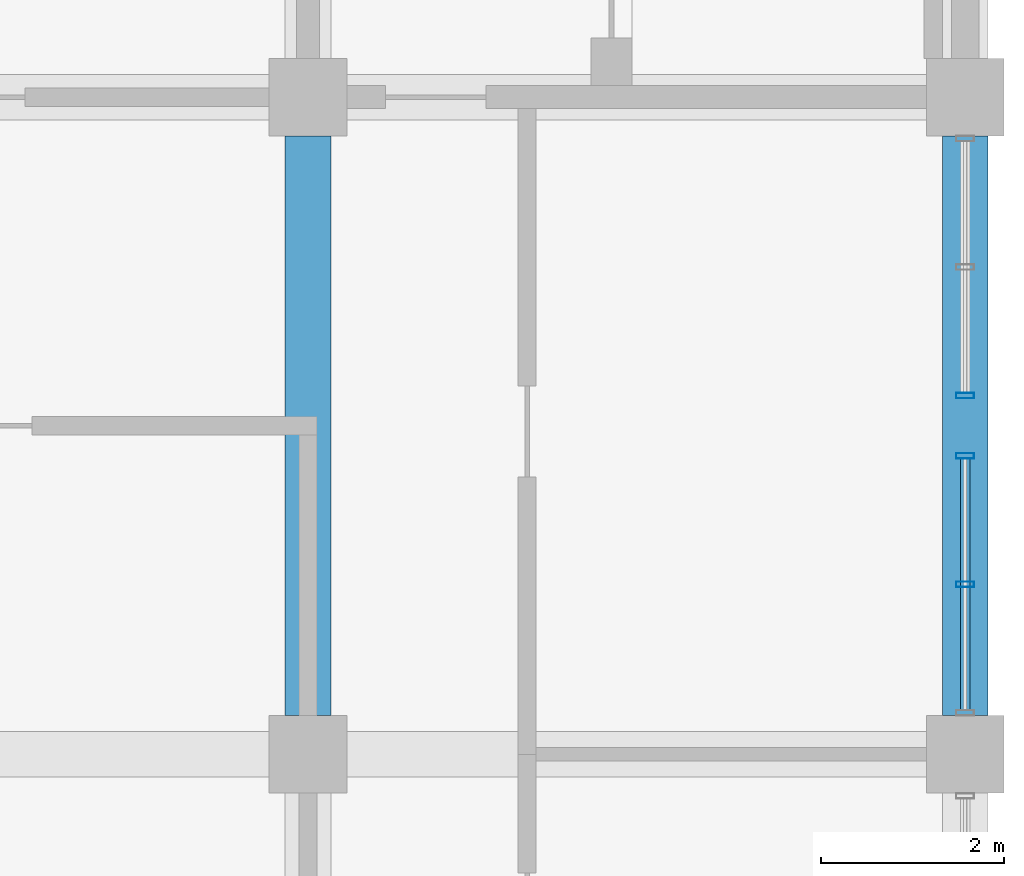
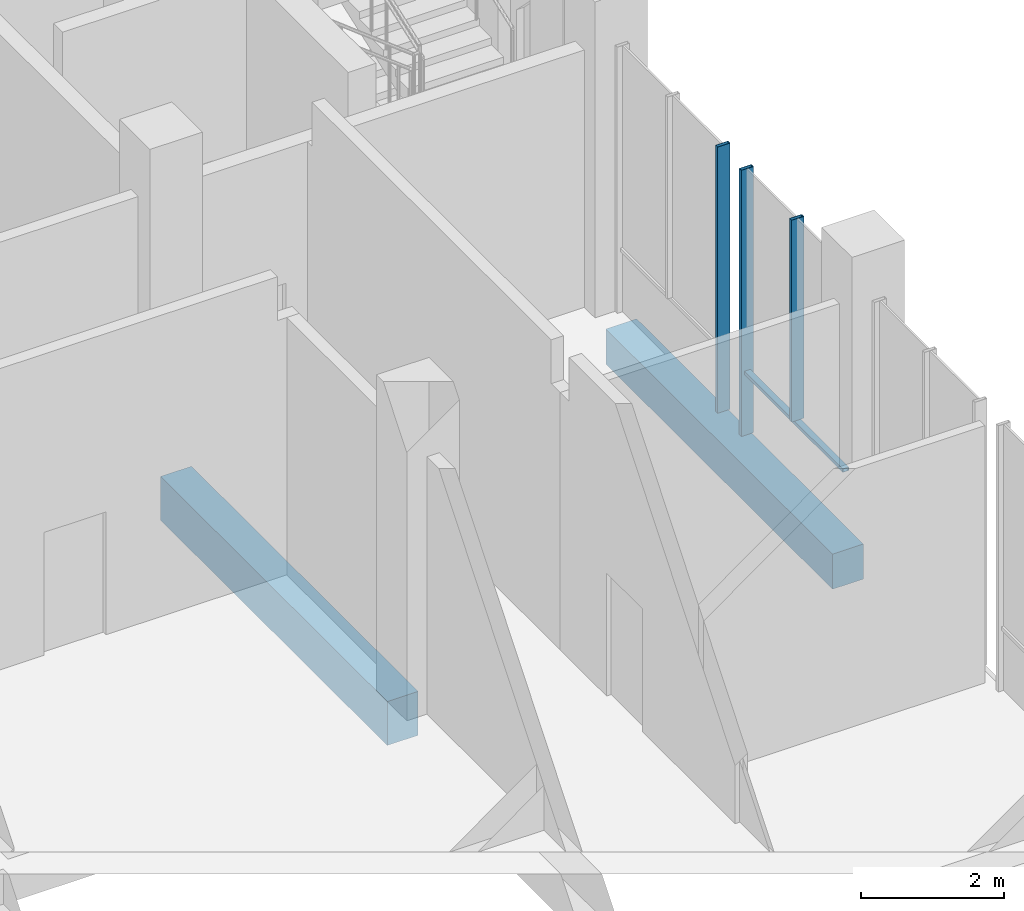
# One storey, part 55 of 83: 4 members, 2 beams, 2 elements without a shape of their own.
"""IFC4 building model written with IfcOpenShell, lengths in metres."""

from ifc_helpers import new_model, si_unit, direction, frame, origin, origin_2d, place, context, subcontext, project, spatial, rectangle, hollow_rectangle, extrude, material, material_profile, profile_set, type_object, element, aggregate, save


model = new_model("IFC4")

# Units and contexts
model_context = context("Model", 3, precision=1e-05, world=origin(), true_north=direction((0.0, 1.0)))
body_context = subcontext(model_context, "Body", "Model", "MODEL_VIEW")
ifc_project = project(units=[si_unit("LENGTHUNIT", "METRE"), si_unit("AREAUNIT", "SQUARE_METRE"), si_unit("VOLUMEUNIT", "CUBIC_METRE"), si_unit("PLANEANGLEUNIT", "RADIAN"), si_unit("MASSUNIT", "GRAM", prefix="KILO")], contexts=[model_context])

# Site, building, storey
site_placement = place(None, origin())
site = spatial("IfcSite", under=ifc_project, at=site_placement, CompositionType="ELEMENT")
building_placement = place(site_placement, origin())
building = spatial("IfcBuilding", under=site, at=building_placement, Name="Silangan Lancet Faculty of Sciences", CompositionType="ELEMENT")
storey_placement = place(building_placement, frame((0.0, 0.0, 11.39990234375)))
storey = spatial("IfcBuildingStorey", under=building, at=storey_placement, Name="L02", CompositionType="ELEMENT", Elevation=11.39990234375)

# Beams
ifc_material_1 = material(Name="Concrete C40/50", Category="concrete")
ifc_material_profile_1 = material_profile(ifc_material_1, rectangle(XDim=0.5, YDim=0.60009765625, at=origin_2d()), Name="RC 500x600")
ifc_profile_set_1 = profile_set([ifc_material_profile_1], Name="Concrete C40/50")
beam_type_1 = type_object("IfcBeamType", Name="BEAM RC 500x600", PredefinedType="BEAM", material=ifc_profile_set_1)
beam_1_placement = place(storey_placement, frame((86.39990234375, 43.625, -0.5498046875), z_axis=(0.0, 1.0, 0.0), x_axis=(-1.0, 0.0, 0.0)))
element("IfcBeam", 1, at=beam_1_placement, inside=storey, type_object=beam_type_1, Name="BM-L02-13G-13H", PredefinedType="BEAM", context=body_context, shape_type="SweptSolid", body=[
    extrude(rectangle(XDim=0.5, YDim=0.60009765625, at=origin_2d()), origin(), (0.0, 0.0, 1.0), 6.35009765625),
])
ifc_material_2 = material(Name="Concrete C40/50", Category="concrete")
ifc_material_profile_2 = material_profile(ifc_material_2, rectangle(XDim=0.5, YDim=0.75, at=origin_2d()), Name="RC 500x750")
ifc_profile_set_2 = profile_set([ifc_material_profile_2], Name="Concrete C40/50")
beam_type_2 = type_object("IfcBeamType", Name="BEAM RC 500x750", PredefinedType="BEAM", material=ifc_profile_set_2)
beam_2_placement = place(storey_placement, frame((79.199951171875, 43.625, -0.625), z_axis=(0.0, 1.0, 0.0), x_axis=(-1.0, 0.0, 0.0)))
element("IfcBeam", 2, at=beam_2_placement, inside=storey, type_object=beam_type_2, Name="BM-L02-12G-12H", PredefinedType="BEAM", context=body_context, shape_type="SweptSolid", body=[
    extrude(rectangle(XDim=0.5, YDim=0.75, at=origin_2d()), origin(), (0.0, 0.0, 1.0), 6.35009765625),
])

# Curtain wall, members
ifc_material_3 = material(Name="Aluminium framed curtain wall with insulated glass", Category="aluminium")
curtain_wall_type = type_object("IfcCurtainWallType", Name="CW1 Commons and east block glazing", PredefinedType="NOTDEFINED", material=ifc_material_3)
curtain_wall_1_placement = place(storey_placement, origin())
curtain_wall_1 = element("IfcCurtainWall", 3, at=curtain_wall_1_placement, inside=storey, type_object=curtain_wall_type, Name="CW1 East commons L02 bay 11", PredefinedType="NOTDEFINED")
ifc_material_4 = material(Name="Aluminium 6063-T6 extrusion", Category="aluminium")
ifc_material_profile_3 = material_profile(ifc_material_4, hollow_rectangle(XDim=0.06005859375, YDim=0.199951171875, WallThickness=0.00390625, at=origin_2d()), Name="AL BOX 60x200x4")
ifc_profile_set_3 = profile_set([ifc_material_profile_3], Name="Aluminium 6063-T6 extrusion")
member_type_1 = type_object("IfcMemberType", Name="CM1 Mullion 60x200", PredefinedType="MULLION", material=ifc_profile_set_3)
member_1_placement = place(storey_placement, frame((86.39990234375, 46.469970703125, 0.0), z_axis=(0.0, 0.0, 1.0), x_axis=(0.0, 1.0, 0.0)))
member_1 = element("IfcMember", 4, at=member_1_placement, type_object=member_type_1, Name="CW1 East commons L02 bay 11 mullion 2", PredefinedType="MULLION", context=body_context, shape_type="SweptSolid", body=[
    extrude(hollow_rectangle(XDim=0.06005859375, YDim=0.199951171875, WallThickness=0.00390625, at=origin_2d()), origin(), (0.0, 0.0, 1.0), 4.550048828125),
])
member_2_placement = place(storey_placement, frame((86.39990234375, 45.0625, 1.10009765625), z_axis=(0.0, 0.0, 1.0), x_axis=(0.0, 1.0, 0.0)))
member_2 = element("IfcMember", 5, at=member_2_placement, type_object=member_type_1, Name="CW1 East commons L02 bay 11 mullion 3", PredefinedType="MULLION", context=body_context, shape_type="SweptSolid", body=[
    extrude(hollow_rectangle(XDim=0.06005859375, YDim=0.199951171875, WallThickness=0.00390625, at=origin_2d()), origin(), (0.0, 0.0, 1.0), 3.449951171875),
])

# Curtain wall, member
curtain_wall_2_placement = place(storey_placement, origin())
curtain_wall_2 = element("IfcCurtainWall", 6, at=curtain_wall_2_placement, inside=storey, type_object=curtain_wall_type, Name="CW1 East commons L02 bay 12", PredefinedType="NOTDEFINED")
member_3_placement = place(storey_placement, frame((86.39990234375, 47.1298828125, 0.0), z_axis=(0.0, 0.0, 1.0), x_axis=(0.0, 1.0, 0.0)))
member_3 = element("IfcMember", 7, at=member_3_placement, type_object=member_type_1, Name="CW1 East commons L02 bay 12 mullion 1", PredefinedType="MULLION", context=body_context, shape_type="SweptSolid", body=[
    extrude(hollow_rectangle(XDim=0.06005859375, YDim=0.199951171875, WallThickness=0.00390625, at=origin_2d()), origin(), (0.0, 0.0, 1.0), 4.550048828125),
])
aggregate(curtain_wall_2, [member_3])

# Member
ifc_material_5 = material(Name="Aluminium 6063-T6 extrusion", Category="aluminium")
ifc_material_profile_4 = material_profile(ifc_material_5, hollow_rectangle(XDim=0.10009765625, YDim=0.06005859375, WallThickness=0.0029296875, at=origin_2d()), Name="AL BOX 100x60x3")
ifc_profile_set_4 = profile_set([ifc_material_profile_4], Name="Aluminium 6063-T6 extrusion")
member_type_2 = type_object("IfcMemberType", Name="CT1 Transom 100x60", PredefinedType="USERDEFINED", material=ifc_profile_set_4)
member_4_placement = place(storey_placement, frame((86.39990234375, 43.68505859375, 1.070068359375), z_axis=(0.0, 1.0, 0.0), x_axis=(-1.0, 0.0, 0.0)))
member_4 = element("IfcMember", 8, at=member_4_placement, type_object=member_type_2, Name="CW1 East commons L02 bay 11 transom 1", ObjectType="TRANSOM", PredefinedType="USERDEFINED", context=body_context, shape_type="SweptSolid", body=[
    extrude(hollow_rectangle(XDim=0.10009765625, YDim=0.06005859375, WallThickness=0.0029296875, at=origin_2d()), origin(), (0.0, 0.0, 1.0), 2.7548828125),
])

aggregate(curtain_wall_1, [member_1, member_2, member_4])

save(model, "model.ifc")
